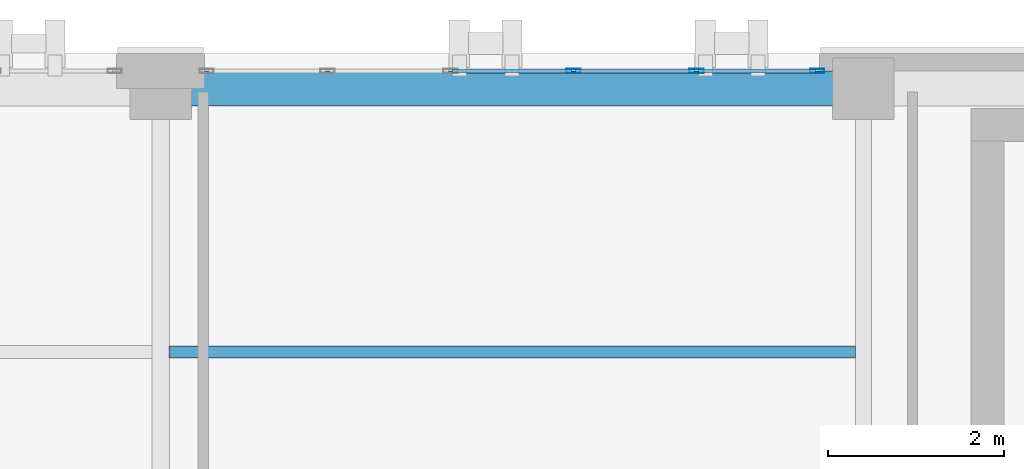
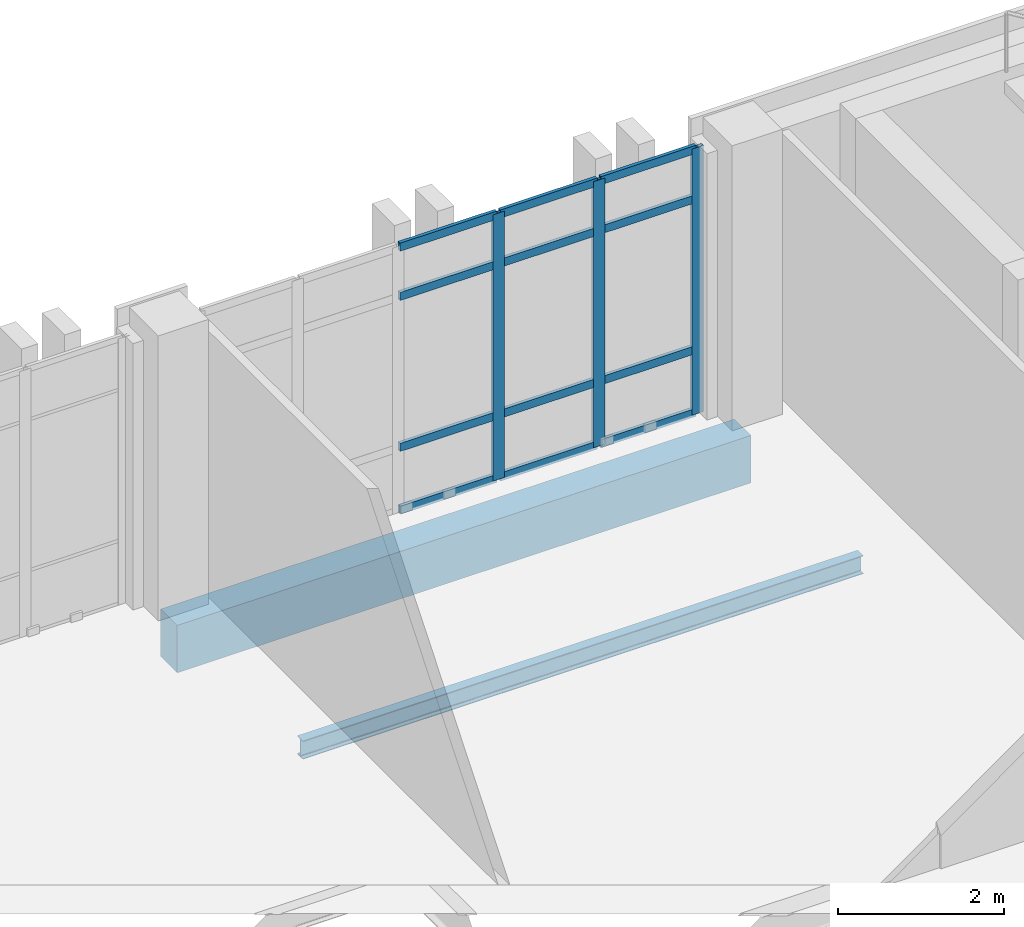
# One storey, part 88 of 158: 15 members, 2 beams, 1 element without a shape of its own.
"""IFC4 building model written with IfcOpenShell, lengths in metres."""

from ifc_helpers import new_model, si_unit, direction, frame, origin, origin_2d, place, context, subcontext, project, spatial, rectangle, hollow_rectangle, i_section, extrude, material, layer, layer_set, material_profile, profile_set, type_object, element, aggregate, save


model = new_model("IFC4")

# Units and contexts
model_context = context("Model", 3, precision=1e-05, world=origin(), true_north=direction((0.0, 1.0)))
body_context = subcontext(model_context, "Body", "Model", "MODEL_VIEW")
ifc_project = project(units=[si_unit("LENGTHUNIT", "METRE"), si_unit("AREAUNIT", "SQUARE_METRE"), si_unit("VOLUMEUNIT", "CUBIC_METRE"), si_unit("PLANEANGLEUNIT", "RADIAN"), si_unit("MASSUNIT", "GRAM", prefix="KILO")], contexts=[model_context])

# Site, building, storey
site_placement = place(None, origin())
site = spatial("IfcSite", under=ifc_project, at=site_placement, CompositionType="ELEMENT")
building_placement = place(site_placement, origin())
building = spatial("IfcBuilding", under=site, at=building_placement, Name="Qalavern Law Courts", CompositionType="ELEMENT")
storey_placement = place(building_placement, frame((0.0, 0.0, 18.60009765625)))
storey = spatial("IfcBuildingStorey", under=building, at=storey_placement, Name="L04", CompositionType="ELEMENT", Elevation=18.60009765625)

# Curtain wall, members
ifc_material_1 = material(Name="Anodised aluminium and insulated glazing", Category="aluminium")
ifc_layer = layer(ifc_material_1, 0.166015625)
ifc_layer_set = layer_set([ifc_layer], Name="Anodised aluminium and insulated glazing")
curtain_wall_type = type_object("IfcCurtainWallType", Name="ENV-CW-LIB", PredefinedType="USERDEFINED", material=ifc_layer_set)
curtain_wall_placement = place(storey_placement, origin())
curtain_wall = element("IfcCurtainWall", 1, at=curtain_wall_placement, inside=storey, type_object=curtain_wall_type, Name="V5 unitised curtain wall L04 north 6", ObjectType="UNITISED CURTAIN WALL", PredefinedType="USERDEFINED")
ifc_material_2 = material(Name="Anodised aluminium", Category="aluminium")
ifc_material_profile_1 = material_profile(ifc_material_2, hollow_rectangle(XDim=0.048095703125, YDim=0.159912109375, WallThickness=0.00390625, at=origin_2d()), Name="ALU MULLION 48x160")
ifc_profile_set_1 = profile_set([ifc_material_profile_1], Name="Anodised aluminium")
member_type_1 = type_object("IfcMemberType", Name="ENV-CWM-48x160", PredefinedType="MULLION", material=ifc_profile_set_1)
member_1_placement = place(storey_placement, frame((17.8759765625, 112.800048828125, 0.0), z_axis=(0.0, 0.0, 1.0), x_axis=(0.0, -1.0, 0.0)))
member_1 = element("IfcMember", 2, at=member_1_placement, type_object=member_type_1, Name="CW-05 mullion 1", PredefinedType="MULLION", context=body_context, shape_type="SweptSolid", body=[
    extrude(hollow_rectangle(XDim=0.048095703125, YDim=0.159912109375, WallThickness=0.00390625, at=origin_2d()), origin(), (0.0, 0.0, 1.0), 3.9248046875),
])
member_2_placement = place(storey_placement, frame((16.5, 112.800048828125, 0.0), z_axis=(0.0, 0.0, 1.0), x_axis=(0.0, -1.0, 0.0)))
member_2 = element("IfcMember", 3, at=member_2_placement, type_object=member_type_1, Name="CW-05 mullion 2", PredefinedType="MULLION", context=body_context, shape_type="SweptSolid", body=[
    extrude(hollow_rectangle(XDim=0.048095703125, YDim=0.159912109375, WallThickness=0.00390625, at=origin_2d()), origin(), (0.0, 0.0, 1.0), 3.9248046875),
])
member_3_placement = place(storey_placement, frame((15.10009765625, 112.800048828125, 0.0), z_axis=(0.0, 0.0, 1.0), x_axis=(0.0, -1.0, 0.0)))
member_3 = element("IfcMember", 4, at=member_3_placement, type_object=member_type_1, Name="CW-05 mullion 3", PredefinedType="MULLION", context=body_context, shape_type="SweptSolid", body=[
    extrude(hollow_rectangle(XDim=0.048095703125, YDim=0.159912109375, WallThickness=0.00390625, at=origin_2d()), origin(), (0.0, 0.0, 1.0), 3.9248046875),
])
ifc_material_profile_2 = material_profile(ifc_material_2, hollow_rectangle(XDim=0.048095703125, YDim=0.1201171875, WallThickness=0.00390625, at=origin_2d()), Name="ALU TRANSOM 48x120")
ifc_profile_set_2 = profile_set([ifc_material_profile_2], Name="Anodised aluminium")
member_type_2 = type_object("IfcMemberType", Name="ENV-CWT-48x120", PredefinedType="USERDEFINED", material=ifc_profile_set_2)
member_4_placement = place(storey_placement, frame((17.85205078125, 112.800048828125, 0.02392578125), z_axis=(-1.0, 0.0, 0.0), x_axis=(0.0, -1.0, 0.0)))
member_4 = element("IfcMember", 5, at=member_4_placement, type_object=member_type_2, Name="CW-05 transom 1.1", ObjectType="TRANSOM", PredefinedType="USERDEFINED", context=body_context, shape_type="SweptSolid", body=[
    extrude(hollow_rectangle(XDim=0.048095703125, YDim=0.1201171875, WallThickness=0.00390625, at=origin_2d()), origin(), (0.0, 0.0, 1.0), 1.328125),
])
member_5_placement = place(storey_placement, frame((17.85205078125, 112.800048828125, 0.949951171875), z_axis=(-1.0, 0.0, 0.0), x_axis=(0.0, -1.0, 0.0)))
member_5 = element("IfcMember", 6, at=member_5_placement, type_object=member_type_2, Name="CW-05 transom 1.2", ObjectType="TRANSOM", PredefinedType="USERDEFINED", context=body_context, shape_type="SweptSolid", body=[
    extrude(hollow_rectangle(XDim=0.048095703125, YDim=0.1201171875, WallThickness=0.00390625, at=origin_2d()), origin(), (0.0, 0.0, 1.0), 1.328125),
])
member_6_placement = place(storey_placement, frame((17.85205078125, 112.800048828125, 3.1748046875), z_axis=(-1.0, 0.0, 0.0), x_axis=(0.0, -1.0, 0.0)))
member_6 = element("IfcMember", 7, at=member_6_placement, type_object=member_type_2, Name="CW-05 transom 1.3", ObjectType="TRANSOM", PredefinedType="USERDEFINED", context=body_context, shape_type="SweptSolid", body=[
    extrude(hollow_rectangle(XDim=0.048095703125, YDim=0.1201171875, WallThickness=0.00390625, at=origin_2d()), origin(), (0.0, 0.0, 1.0), 1.328125),
])
member_7_placement = place(storey_placement, frame((17.85205078125, 112.800048828125, 3.90087890625), z_axis=(-1.0, 0.0, 0.0), x_axis=(0.0, -1.0, 0.0)))
member_7 = element("IfcMember", 8, at=member_7_placement, type_object=member_type_2, Name="CW-05 transom 1.4", ObjectType="TRANSOM", PredefinedType="USERDEFINED", context=body_context, shape_type="SweptSolid", body=[
    extrude(hollow_rectangle(XDim=0.048095703125, YDim=0.1201171875, WallThickness=0.00390625, at=origin_2d()), origin(), (0.0, 0.0, 1.0), 1.328125),
])
member_8_placement = place(storey_placement, frame((16.47607421875, 112.800048828125, 0.02392578125), z_axis=(-1.0, 0.0, 0.0), x_axis=(0.0, -1.0, 0.0)))
member_8 = element("IfcMember", 9, at=member_8_placement, type_object=member_type_2, Name="CW-05 transom 2.1", ObjectType="TRANSOM", PredefinedType="USERDEFINED", context=body_context, shape_type="SweptSolid", body=[
    extrude(hollow_rectangle(XDim=0.048095703125, YDim=0.1201171875, WallThickness=0.00390625, at=origin_2d()), origin(), (0.0, 0.0, 1.0), 1.35205078125),
])
member_9_placement = place(storey_placement, frame((16.47607421875, 112.800048828125, 0.949951171875), z_axis=(-1.0, 0.0, 0.0), x_axis=(0.0, -1.0, 0.0)))
member_9 = element("IfcMember", 10, at=member_9_placement, type_object=member_type_2, Name="CW-05 transom 2.2", ObjectType="TRANSOM", PredefinedType="USERDEFINED", context=body_context, shape_type="SweptSolid", body=[
    extrude(hollow_rectangle(XDim=0.048095703125, YDim=0.1201171875, WallThickness=0.00390625, at=origin_2d()), origin(), (0.0, 0.0, 1.0), 1.35205078125),
])
member_10_placement = place(storey_placement, frame((16.47607421875, 112.800048828125, 3.1748046875), z_axis=(-1.0, 0.0, 0.0), x_axis=(0.0, -1.0, 0.0)))
member_10 = element("IfcMember", 11, at=member_10_placement, type_object=member_type_2, Name="CW-05 transom 2.3", ObjectType="TRANSOM", PredefinedType="USERDEFINED", context=body_context, shape_type="SweptSolid", body=[
    extrude(hollow_rectangle(XDim=0.048095703125, YDim=0.1201171875, WallThickness=0.00390625, at=origin_2d()), origin(), (0.0, 0.0, 1.0), 1.35205078125),
])
member_11_placement = place(storey_placement, frame((16.47607421875, 112.800048828125, 3.90087890625), z_axis=(-1.0, 0.0, 0.0), x_axis=(0.0, -1.0, 0.0)))
member_11 = element("IfcMember", 12, at=member_11_placement, type_object=member_type_2, Name="CW-05 transom 2.4", ObjectType="TRANSOM", PredefinedType="USERDEFINED", context=body_context, shape_type="SweptSolid", body=[
    extrude(hollow_rectangle(XDim=0.048095703125, YDim=0.1201171875, WallThickness=0.00390625, at=origin_2d()), origin(), (0.0, 0.0, 1.0), 1.35205078125),
])
member_12_placement = place(storey_placement, frame((15.075927734375, 112.800048828125, 0.02392578125), z_axis=(-1.0, 0.0, 0.0), x_axis=(0.0, -1.0, 0.0)))
member_12 = element("IfcMember", 13, at=member_12_placement, type_object=member_type_2, Name="CW-05 transom 3.1", ObjectType="TRANSOM", PredefinedType="USERDEFINED", context=body_context, shape_type="SweptSolid", body=[
    extrude(hollow_rectangle(XDim=0.048095703125, YDim=0.1201171875, WallThickness=0.00390625, at=origin_2d()), origin(), (0.0, 0.0, 1.0), 1.351806640625),
])
member_13_placement = place(storey_placement, frame((15.075927734375, 112.800048828125, 0.949951171875), z_axis=(-1.0, 0.0, 0.0), x_axis=(0.0, -1.0, 0.0)))
member_13 = element("IfcMember", 14, at=member_13_placement, type_object=member_type_2, Name="CW-05 transom 3.2", ObjectType="TRANSOM", PredefinedType="USERDEFINED", context=body_context, shape_type="SweptSolid", body=[
    extrude(hollow_rectangle(XDim=0.048095703125, YDim=0.1201171875, WallThickness=0.00390625, at=origin_2d()), origin(), (0.0, 0.0, 1.0), 1.351806640625),
])
member_14_placement = place(storey_placement, frame((15.075927734375, 112.800048828125, 3.1748046875), z_axis=(-1.0, 0.0, 0.0), x_axis=(0.0, -1.0, 0.0)))
member_14 = element("IfcMember", 15, at=member_14_placement, type_object=member_type_2, Name="CW-05 transom 3.3", ObjectType="TRANSOM", PredefinedType="USERDEFINED", context=body_context, shape_type="SweptSolid", body=[
    extrude(hollow_rectangle(XDim=0.048095703125, YDim=0.1201171875, WallThickness=0.00390625, at=origin_2d()), origin(), (0.0, 0.0, 1.0), 1.351806640625),
])
member_15_placement = place(storey_placement, frame((15.075927734375, 112.800048828125, 3.90087890625), z_axis=(-1.0, 0.0, 0.0), x_axis=(0.0, -1.0, 0.0)))
member_15 = element("IfcMember", 16, at=member_15_placement, type_object=member_type_2, Name="CW-05 transom 3.4", ObjectType="TRANSOM", PredefinedType="USERDEFINED", context=body_context, shape_type="SweptSolid", body=[
    extrude(hollow_rectangle(XDim=0.048095703125, YDim=0.1201171875, WallThickness=0.00390625, at=origin_2d()), origin(), (0.0, 0.0, 1.0), 1.351806640625),
])
aggregate(curtain_wall, [member_1, member_2, member_3, member_4, member_5, member_6, member_7, member_8, member_9, member_10, member_11, member_12, member_13, member_14, member_15])

# Beams
ifc_material_3 = material(Name="Steel S355", Category="steel")
ifc_material_profile_3 = material_profile(ifc_material_3, i_section(OverallWidth=0.135009765625, OverallDepth=0.27001953125, WebThickness=0.006591796875, FlangeThickness=0.01025390625, FilletRadius=0.014892578125, at=origin_2d()), Name="IPE 270")
ifc_profile_set_3 = profile_set([ifc_material_profile_3], Name="Steel S355")
beam_type_1 = type_object("IfcBeamType", Name="STR-JST-IPE270", PredefinedType="JOIST", material=ifc_profile_set_3)
beam_1_placement = place(storey_placement, frame((10.498046875, 109.60009765625, -0.4150390625), z_axis=(1.0, 0.0, 0.0), x_axis=(0.0, 1.0, 0.0)))
element("IfcBeam", 17, at=beam_1_placement, inside=storey, type_object=beam_type_1, Name="V5 secondary joist 2.2.2 L04", PredefinedType="JOIST", context=body_context, shape_type="SweptSolid", body=[
    extrude(i_section(OverallWidth=0.135009765625, OverallDepth=0.27001953125, WebThickness=0.006591796875, FlangeThickness=0.01025390625, FilletRadius=0.014892578125, at=origin_2d()), origin(), (0.0, 0.0, 1.0), 7.81396484375),
])
ifc_material_4 = material(Name="Concrete C40/50", Category="concrete")
ifc_material_profile_4 = material_profile(ifc_material_4, rectangle(XDim=0.39990234375, YDim=0.699951171875, at=origin_2d()), Name="RC 400x700")
ifc_profile_set_4 = profile_set([ifc_material_profile_4], Name="Concrete C40/50")
beam_type_2 = type_object("IfcBeamType", Name="STR-SP-RC400x700", PredefinedType="SPANDREL", material=ifc_profile_set_4)
beam_2_placement = place(storey_placement, frame((10.39990234375, 112.60009765625, -0.630126953125), z_axis=(1.0, 0.0, 0.0), x_axis=(0.0, 1.0, 0.0)))
element("IfcBeam", 18, at=beam_2_placement, inside=storey, type_object=beam_type_2, Name="V5 X-beam 3-2 L04", PredefinedType="SPANDREL", context=body_context, shape_type="SweptSolid", body=[
    extrude(rectangle(XDim=0.39990234375, YDim=0.699951171875, at=origin_2d()), origin(), (0.0, 0.0, 1.0), 8.0),
])

save(model, "model.ifc")
